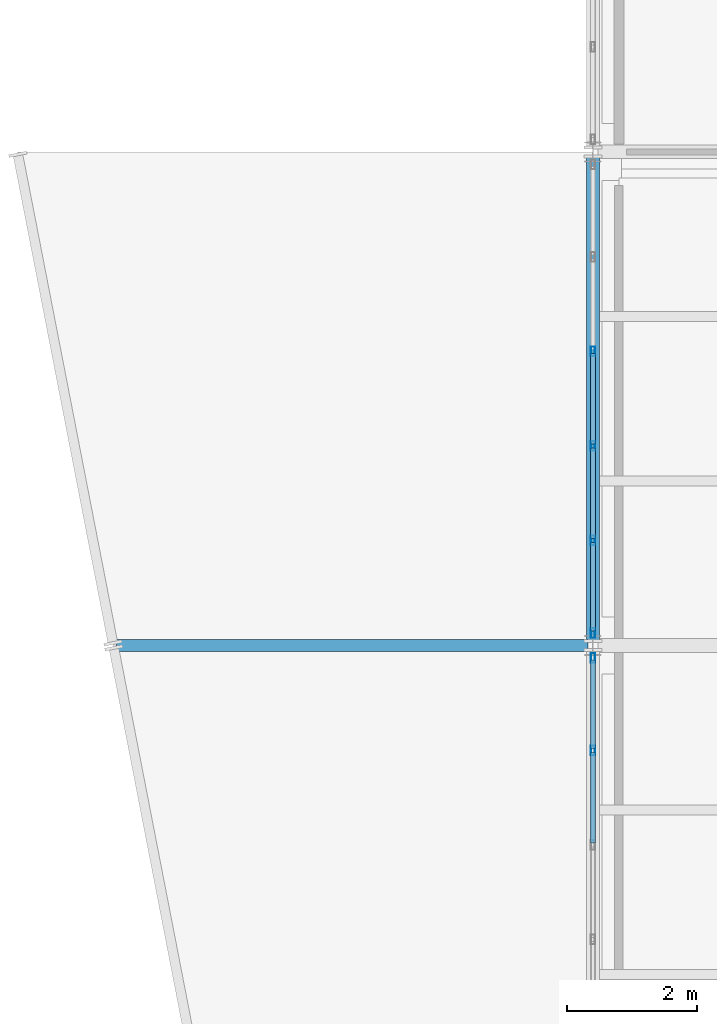
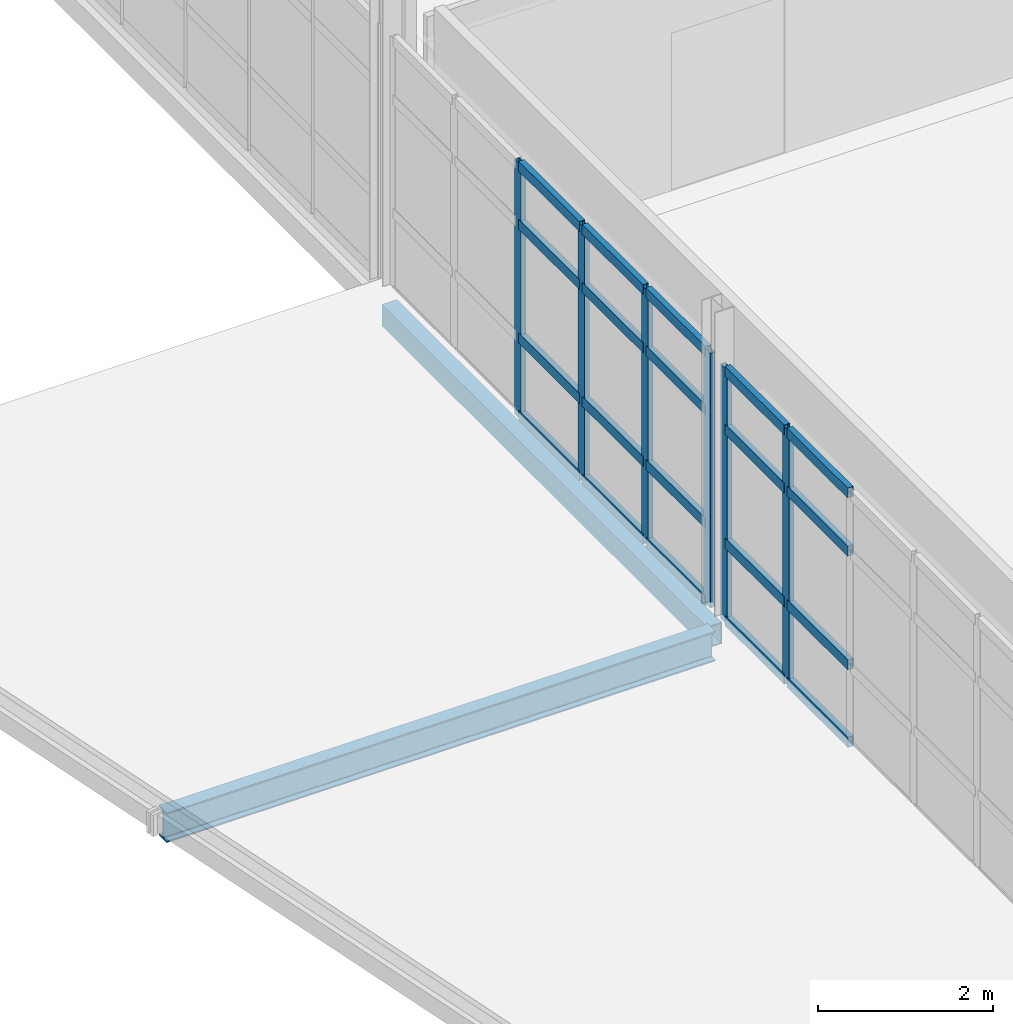
# One storey, part 52 of 96: 26 members, 2 beams, 2 elements without a shape of their own.
"""IFC4 building model written with IfcOpenShell, lengths in metres."""

import ifcopenshell
import ifcopenshell.guid

model = None  # the IFC model being written
_history = None  # IfcOwnerHistory: only IFC2X3 demands one
_inside = {}  # id of a spatial element -> (the spatial element, [elements in it])
_under = {}  # id of a project, library or spatial element -> (it, [spatial elements below it])
_declared = {}  # id of a project -> (the project, [libraries it declares])
_typed = {}  # id of a type object -> (the type object, [elements of that type])
_made_of = {}  # id of a material, layer set ... -> (it, [elements and type objects made of it])


def new_model(schema):
    """Start an empty IFC model of exactly this schema.

    Asked for "IFC4X3", IfcOpenShell would pick the latest addendum, in which some entities
    have other attributes; the version numbers below select the first issue.
    IFC2X3 requires an IfcOwnerHistory on every rooted entity: one is made here for all.
    """
    global model, _history
    if schema == "IFC4X3":
        model = ifcopenshell.file(schema_version=(4, 3, 0, 0))
    else:
        model = ifcopenshell.file(schema=schema)
    _inside.clear()
    _under.clear()
    _declared.clear()
    _typed.clear()
    _made_of.clear()
    _history = None
    if model.schema == "IFC2X3":
        org = make("IfcOrganization", Name="unknown")
        user = make(
            "IfcPersonAndOrganization",
            ThePerson=make("IfcPerson", FamilyName="unknown"),
            TheOrganization=org,
        )
        app = make(
            "IfcApplication",
            ApplicationDeveloper=org,
            Version="unknown",
            ApplicationFullName="unknown",
            ApplicationIdentifier="unknown",
        )
        _history = make(
            "IfcOwnerHistory",
            OwningUser=user,
            OwningApplication=app,
            ChangeAction="ADDED",
            CreationDate=0,
        )
    return model


def make(cls, **values):
    """One entity of the class cls with the attributes given. An attribute that is None is left unset."""
    return model.create_entity(
        cls, **{name: value for name, value in values.items() if value is not None}
    )


def rooted(cls, **values):
    """An entity with a GlobalId (a new one), such as an element, a storey or a relation."""
    return make(cls, GlobalId=ifcopenshell.guid.new(), OwnerHistory=_history, **values)


def si_unit(unit_type, name, prefix=None):
    """IfcSIUnit, for example si_unit("LENGTHUNIT", "METRE", prefix="MILLI")."""
    return make("IfcSIUnit", UnitType=unit_type, Prefix=prefix, Name=name)


def assignment(units):
    """IfcUnitAssignment: the units of a project."""
    return None if units is None else make("IfcUnitAssignment", Units=units)


def point(xyz):
    """IfcCartesianPoint."""
    return None if xyz is None else make("IfcCartesianPoint", Coordinates=xyz)


def direction(xyz):
    """IfcDirection."""
    return None if xyz is None else make("IfcDirection", DirectionRatios=xyz)


def frame(location, z_axis=None, x_axis=None):
    """IfcAxis2Placement3D, a coordinate frame: its origin and axes. An axis left out is left unset."""
    return make(
        "IfcAxis2Placement3D",
        Location=point(location),
        Axis=direction(z_axis),
        RefDirection=direction(x_axis),
    )


def frame_2d(location, x_axis=None):
    """IfcAxis2Placement2D, a coordinate frame in the plane: its origin and x axis."""
    return make(
        "IfcAxis2Placement2D", Location=point(location), RefDirection=direction(x_axis)
    )


def origin():
    """The frame at (0, 0, 0) with its axes left unset."""
    return frame((0.0, 0.0, 0.0))


def origin_2d():
    """The frame at (0, 0) in the plane with its x axis left unset."""
    return frame_2d((0.0, 0.0))


def place(relative_to, where):
    """IfcLocalPlacement: puts the frame where relative to a parent placement (None: the world)."""
    return make(
        "IfcLocalPlacement", PlacementRelTo=relative_to, RelativePlacement=where
    )


def context(
    kind, dimensions, precision=None, world=None, true_north=None, identifier=None
):
    """IfcGeometricRepresentationContext, for example the 3D "Model" context."""
    return make(
        "IfcGeometricRepresentationContext",
        ContextIdentifier=identifier,
        ContextType=kind,
        CoordinateSpaceDimension=dimensions,
        Precision=precision,
        WorldCoordinateSystem=world,
        TrueNorth=true_north,
    )


def subcontext(parent, identifier, kind, view, scale=None):
    """IfcGeometricRepresentationSubContext, for example "Body" below "Model"."""
    return make(
        "IfcGeometricRepresentationSubContext",
        ContextIdentifier=identifier,
        ContextType=kind,
        ParentContext=parent,
        TargetScale=scale,
        TargetView=view,
    )


def project(units=None, contexts=None):
    """IfcProject with its units and contexts."""
    return rooted(
        "IfcProject",
        Name="project",
        RepresentationContexts=contexts,
        UnitsInContext=assignment(units),
    )


def spatial(cls, under=None, at=None, **own):
    """A site, building, storey or space (cls), placed at a placement, below another one or the project."""
    s = rooted(cls, ObjectPlacement=at, **own)
    if under is not None:
        _under.setdefault(under.id(), (under, []))[1].append(s)
    return s


def profile(cls, at=None, kind="AREA", **sizes):
    """A parametric profile (cls). Its sizes go by their IFC names, for example OverallWidth=200.0."""
    return make(cls, ProfileType=kind, Position=at, **sizes)


def hollow_rectangle(**sizes):
    """IfcRectangleHollowProfileDef."""
    return profile("IfcRectangleHollowProfileDef", **sizes)


def i_section(**sizes):
    """IfcIShapeProfileDef."""
    return profile("IfcIShapeProfileDef", **sizes)


def extrude(swept, where, along, depth):
    """IfcExtrudedAreaSolid: the profile swept, set in the frame where, extruded along a direction by depth."""
    return make(
        "IfcExtrudedAreaSolid",
        SweptArea=swept,
        Position=where,
        ExtrudedDirection=direction(along),
        Depth=depth,
    )


def shape(context_of_items, identifier, shape_type, items):
    """IfcShapeRepresentation: the items that make up one representation, for example the "Body"."""
    return make(
        "IfcShapeRepresentation",
        ContextOfItems=context_of_items,
        RepresentationIdentifier=identifier,
        RepresentationType=shape_type,
        Items=items,
    )


def material(Name=None, Category=None):
    """IfcMaterial."""
    return make("IfcMaterial", Name=Name, Category=Category)


def material_profile(
    of_material, cross_section, Name=None, Category=None, Priority=None
):
    """IfcMaterialProfile: a cross section and its material."""
    return make(
        "IfcMaterialProfile",
        Name=Name,
        Material=of_material,
        Profile=cross_section,
        Priority=Priority,
        Category=Category,
    )


def profile_set(profiles, Name=None, composite=None):
    """IfcMaterialProfileSet."""
    return make(
        "IfcMaterialProfileSet",
        Name=Name,
        MaterialProfiles=profiles,
        CompositeProfile=composite,
    )


def made_of(thing, what):
    """Note that an element or type object is made of a material, layer set ...; save() writes the relation."""
    if what is not None:
        _made_of.setdefault(what.id(), (what, []))[1].append(thing)
    return thing


def type_object(cls, material=None, **own):
    """A type object (cls), such as IfcWallType, which elements share."""
    return made_of(rooted(cls, **own), material)


def element(
    cls,
    number,
    at=None,
    inside=None,
    cuts=None,
    type_object=None,
    material=None,
    context=None,
    identifier="Body",
    shape_type=None,
    held_by="IfcProductDefinitionShape",
    body=None,
    shapes=None,
    **own,
):
    """One element of the class cls, such as IfcWall. Its Tag is "e" and its number.

    at: its placement. inside: the storey or other place that contains it. cuts: it is an
    opening in that element (IfcRelVoidsElement). A single representation is given by context,
    identifier, shape_type and body (its items); several are given by shapes. held_by: the class
    of the entity that holds the representations. save() writes the other relations.
    """
    e = rooted(cls, Tag="e%d" % number, ObjectPlacement=at, **own)
    if body is not None:
        shapes = [shape(context, identifier, shape_type, body)]
    if shapes is not None:
        e.Representation = make(held_by, Representations=shapes)
    if inside is not None:
        _inside.setdefault(inside.id(), (inside, []))[1].append(e)
    if cuts is not None:
        rooted(
            "IfcRelVoidsElement", RelatingBuildingElement=cuts, RelatedOpeningElement=e
        )
    if type_object is not None:
        _typed.setdefault(type_object.id(), (type_object, []))[1].append(e)
    return made_of(e, material)


def aggregate(whole, parts):
    """IfcRelAggregates: a whole, such as a stair, and the parts it consists of."""
    return rooted("IfcRelAggregates", RelatingObject=whole, RelatedObjects=parts)


def save(model, path):
    """Write the relations noted so far, then the file.

    IfcRelAggregates (storeys below a building ...), IfcRelContainedInSpatialStructure (elements
    in a storey), IfcRelDefinesByType, IfcRelAssociatesMaterial and IfcRelDeclares: one each for
    every whole, place, type object, material and project.
    """
    for whole, parts in _under.values():
        aggregate(whole, parts)
    for where, things in _inside.values():
        rooted(
            "IfcRelContainedInSpatialStructure",
            RelatedElements=things,
            RelatingStructure=where,
        )
    for kind, things in _typed.values():
        rooted("IfcRelDefinesByType", RelatedObjects=things, RelatingType=kind)
    for what, things in _made_of.values():
        rooted("IfcRelAssociatesMaterial", RelatedObjects=things, RelatingMaterial=what)
    for by, libraries in _declared.values():
        rooted("IfcRelDeclares", RelatingContext=by, RelatedDefinitions=libraries)
    model.write(path)


model = new_model("IFC4")

# Units and contexts
model_context = context("Model", 3, precision=1e-05, world=origin(), true_north=direction((0.0, 1.0)))
body_context = subcontext(model_context, "Body", "Model", "MODEL_VIEW")
ifc_project = project(units=[si_unit("LENGTHUNIT", "METRE"), si_unit("AREAUNIT", "SQUARE_METRE"), si_unit("VOLUMEUNIT", "CUBIC_METRE"), si_unit("PLANEANGLEUNIT", "RADIAN"), si_unit("MASSUNIT", "GRAM", prefix="KILO")], contexts=[model_context])

# Site, building, storey
site_placement = place(None, origin())
site = spatial("IfcSite", under=ifc_project, at=site_placement, CompositionType="ELEMENT")
building_placement = place(site_placement, origin())
building = spatial("IfcBuilding", under=site, at=building_placement, Name="Caisbarro Railhouse Central Library", CompositionType="ELEMENT")
storey_placement = place(building_placement, frame((0.0, 0.0, 13.679931640625)))
storey = spatial("IfcBuildingStorey", under=building, at=storey_placement, Name="L03", CompositionType="ELEMENT", Elevation=13.679931640625)

# Beams
ifc_material_1 = material(Name="Steel ASTM A572 Grade 50", Category="steel")
ifc_material_profile_1 = material_profile(ifc_material_1, i_section(OverallWidth=0.180908203125, OverallDepth=0.4169921875, WebThickness=0.010986328125, FlangeThickness=0.018310546875, FilletRadius=0.01611328125, at=origin_2d()), Name="W410X85.0")
ifc_profile_set_1 = profile_set([ifc_material_profile_1], Name="Steel ASTM A572 Grade 50")
beam_type_1 = type_object("IfcBeamType", Name="BM-G09", PredefinedType="BEAM", material=ifc_profile_set_1)
beam_1_placement = place(storey_placement, frame((109.6640625, 98.800048828125, -0.388427734375), z_axis=(1.0, 0.0, 0.0), x_axis=(0.0, 1.0, 0.0)))
element("IfcBeam", 1, at=beam_1_placement, inside=storey, type_object=beam_type_1, Name="G09 beam L03 #2433", PredefinedType="BEAM", context=body_context, shape_type="SweptSolid", body=[
    extrude(i_section(OverallWidth=0.180908203125, OverallDepth=0.4169921875, WebThickness=0.010986328125, FlangeThickness=0.018310546875, FilletRadius=0.01611328125, at=origin_2d()), origin(), (0.0, 0.0, 1.0), 7.255859375),
])
ifc_material_profile_2 = material_profile(ifc_material_1, hollow_rectangle(XDim=0.199951171875, YDim=0.300048828125, WallThickness=0.012451171875, at=origin_2d()), Name="HSS300X200X12.5")
ifc_profile_set_2 = profile_set([ifc_material_profile_2], Name="Steel ASTM A572 Grade 50")
beam_type_2 = type_object("IfcBeamType", Name="BM-SP02", PredefinedType="SPANDREL", material=ifc_profile_set_2)
beam_2_placement = place(storey_placement, frame((117.0, 98.8798828125, -0.369873046875), z_axis=(0.0, 1.0, 0.0), x_axis=(-1.0, 0.0, 0.0)))
element("IfcBeam", 2, at=beam_2_placement, inside=storey, type_object=beam_type_2, Name="SP02 beam L03 #1885", PredefinedType="SPANDREL", context=body_context, shape_type="SweptSolid", body=[
    extrude(hollow_rectangle(XDim=0.199951171875, YDim=0.300048828125, WallThickness=0.012451171875, at=origin_2d()), origin(), (0.0, 0.0, 1.0), 7.440185546875),
])

# Curtain wall, members
ifc_material_2 = material(Name="Anodised architectural aluminium", Category="aluminium")
curtain_wall_type = type_object("IfcCurtainWallType", Name="CW-CW02", PredefinedType="NOTDEFINED", material=ifc_material_2)
curtain_wall_1_placement = place(storey_placement, origin())
curtain_wall_1 = element("IfcCurtainWall", 3, at=curtain_wall_1_placement, inside=storey, type_object=curtain_wall_type, Name="CW02 curtain wall L03 #145", PredefinedType="NOTDEFINED")
ifc_material_profile_3 = material_profile(ifc_material_2, hollow_rectangle(XDim=0.06494140625, YDim=0.14990234375, WallThickness=0.00390625, at=origin_2d()), Name="ALU-MUL-65X150")
ifc_profile_set_3 = profile_set([ifc_material_profile_3], Name="Anodised architectural aluminium")
member_type_1 = type_object("IfcMemberType", Name="CWM-M02", PredefinedType="MULLION", material=ifc_profile_set_3)
member_1_placement = place(storey_placement, frame((117.0, 97.18408203125, 0.0), z_axis=(0.0, 0.0, 1.0), x_axis=(-1.0, 0.0, 0.0)))
member_1 = element("IfcMember", 4, at=member_1_placement, type_object=member_type_1, Name="CW02 mullion 5", PredefinedType="MULLION", context=body_context, shape_type="SweptSolid", body=[
    extrude(hollow_rectangle(XDim=0.06494140625, YDim=0.14990234375, WallThickness=0.00390625, at=origin_2d()), origin(), (0.0, 0.0, 1.0), 3.56005859375),
])
member_2_placement = place(storey_placement, frame((117.0, 98.607421875, 0.0), z_axis=(0.0, 0.0, 1.0), x_axis=(-1.0, 0.0, 0.0)))
member_2 = element("IfcMember", 5, at=member_2_placement, type_object=member_type_1, Name="CW02 mullion 6", PredefinedType="MULLION", context=body_context, shape_type="SweptSolid", body=[
    extrude(hollow_rectangle(XDim=0.06494140625, YDim=0.14990234375, WallThickness=0.00390625, at=origin_2d()), origin(), (0.0, 0.0, 1.0), 3.56005859375),
])

curtain_wall_2_placement = place(storey_placement, origin())
curtain_wall_2 = element("IfcCurtainWall", 6, at=curtain_wall_2_placement, inside=storey, type_object=curtain_wall_type, Name="CW02 curtain wall L03 #146", PredefinedType="NOTDEFINED")
member_3_placement = place(storey_placement, frame((117.0, 98.992431640625, 0.0), z_axis=(0.0, 0.0, 1.0), x_axis=(-1.0, 0.0, 0.0)))
member_3 = element("IfcMember", 7, at=member_3_placement, type_object=member_type_1, Name="CW02 mullion 1", PredefinedType="MULLION", context=body_context, shape_type="SweptSolid", body=[
    extrude(hollow_rectangle(XDim=0.06494140625, YDim=0.14990234375, WallThickness=0.00390625, at=origin_2d()), origin(), (0.0, 0.0, 1.0), 3.56005859375),
])
member_4_placement = place(storey_placement, frame((117.0, 100.416015625, 0.0), z_axis=(0.0, 0.0, 1.0), x_axis=(-1.0, 0.0, 0.0)))
member_4 = element("IfcMember", 8, at=member_4_placement, type_object=member_type_1, Name="CW02 mullion 2", PredefinedType="MULLION", context=body_context, shape_type="SweptSolid", body=[
    extrude(hollow_rectangle(XDim=0.06494140625, YDim=0.14990234375, WallThickness=0.00390625, at=origin_2d()), origin(), (0.0, 0.0, 1.0), 3.56005859375),
])
member_5_placement = place(storey_placement, frame((117.0, 101.8720703125, 0.0), z_axis=(0.0, 0.0, 1.0), x_axis=(-1.0, 0.0, 0.0)))
member_5 = element("IfcMember", 9, at=member_5_placement, type_object=member_type_1, Name="CW02 mullion 3", PredefinedType="MULLION", context=body_context, shape_type="SweptSolid", body=[
    extrude(hollow_rectangle(XDim=0.06494140625, YDim=0.14990234375, WallThickness=0.00390625, at=origin_2d()), origin(), (0.0, 0.0, 1.0), 3.56005859375),
])
member_6_placement = place(storey_placement, frame((117.0, 103.327880859375, 0.0), z_axis=(0.0, 0.0, 1.0), x_axis=(-1.0, 0.0, 0.0)))
member_6 = element("IfcMember", 10, at=member_6_placement, type_object=member_type_1, Name="CW02 mullion 4", PredefinedType="MULLION", context=body_context, shape_type="SweptSolid", body=[
    extrude(hollow_rectangle(XDim=0.06494140625, YDim=0.14990234375, WallThickness=0.00390625, at=origin_2d()), origin(), (0.0, 0.0, 1.0), 3.56005859375),
])

# Member
ifc_material_profile_4 = material_profile(ifc_material_2, hollow_rectangle(XDim=0.074951171875, YDim=0.139892578125, WallThickness=0.00390625, at=origin_2d()), Name="ALU-TRN-75X140")
ifc_profile_set_4 = profile_set([ifc_material_profile_4], Name="Anodised architectural aluminium")
member_type_2 = type_object("IfcMemberType", Name="CWT-T01", PredefinedType="USERDEFINED", material=ifc_profile_set_4)
member_7_placement = place(storey_placement, frame((117.0, 95.760498046875, 0.03759765625), z_axis=(0.0, 1.0, 0.0), x_axis=(-1.0, 0.0, 0.0)))
member_7 = element("IfcMember", 11, at=member_7_placement, type_object=member_type_2, Name="CW02 transom 4.1", ObjectType="TRANSOM", PredefinedType="USERDEFINED", context=body_context, shape_type="SweptSolid", body=[
    extrude(hollow_rectangle(XDim=0.074951171875, YDim=0.139892578125, WallThickness=0.00390625, at=origin_2d()), origin(), (0.0, 0.0, 1.0), 1.39111328125),
])

member_8_placement = place(storey_placement, frame((117.0, 95.760498046875, 1.1201171875), z_axis=(0.0, 1.0, 0.0), x_axis=(-1.0, 0.0, 0.0)))
member_8 = element("IfcMember", 12, at=member_8_placement, type_object=member_type_2, Name="CW02 transom 4.2", ObjectType="TRANSOM", PredefinedType="USERDEFINED", context=body_context, shape_type="SweptSolid", body=[
    extrude(hollow_rectangle(XDim=0.074951171875, YDim=0.139892578125, WallThickness=0.00390625, at=origin_2d()), origin(), (0.0, 0.0, 1.0), 1.39111328125),
])

member_9_placement = place(storey_placement, frame((117.0, 95.760498046875, 2.7099609375), z_axis=(0.0, 1.0, 0.0), x_axis=(-1.0, 0.0, 0.0)))
member_9 = element("IfcMember", 13, at=member_9_placement, type_object=member_type_2, Name="CW02 transom 4.3", ObjectType="TRANSOM", PredefinedType="USERDEFINED", context=body_context, shape_type="SweptSolid", body=[
    extrude(hollow_rectangle(XDim=0.074951171875, YDim=0.139892578125, WallThickness=0.00390625, at=origin_2d()), origin(), (0.0, 0.0, 1.0), 1.39111328125),
])

member_10_placement = place(storey_placement, frame((117.0, 95.760498046875, 3.5224609375), z_axis=(0.0, 1.0, 0.0), x_axis=(-1.0, 0.0, 0.0)))
member_10 = element("IfcMember", 14, at=member_10_placement, type_object=member_type_2, Name="CW02 transom 4.4", ObjectType="TRANSOM", PredefinedType="USERDEFINED", context=body_context, shape_type="SweptSolid", body=[
    extrude(hollow_rectangle(XDim=0.074951171875, YDim=0.139892578125, WallThickness=0.00390625, at=origin_2d()), origin(), (0.0, 0.0, 1.0), 1.39111328125),
])

member_11_placement = place(storey_placement, frame((117.0, 97.216552734375, 0.03759765625), z_axis=(0.0, 1.0, 0.0), x_axis=(-1.0, 0.0, 0.0)))
member_11 = element("IfcMember", 15, at=member_11_placement, type_object=member_type_2, Name="CW02 transom 5.1", ObjectType="TRANSOM", PredefinedType="USERDEFINED", context=body_context, shape_type="SweptSolid", body=[
    extrude(hollow_rectangle(XDim=0.074951171875, YDim=0.139892578125, WallThickness=0.00390625, at=origin_2d()), origin(), (0.0, 0.0, 1.0), 1.3583984375),
])

member_12_placement = place(storey_placement, frame((117.0, 97.216552734375, 1.1201171875), z_axis=(0.0, 1.0, 0.0), x_axis=(-1.0, 0.0, 0.0)))
member_12 = element("IfcMember", 16, at=member_12_placement, type_object=member_type_2, Name="CW02 transom 5.2", ObjectType="TRANSOM", PredefinedType="USERDEFINED", context=body_context, shape_type="SweptSolid", body=[
    extrude(hollow_rectangle(XDim=0.074951171875, YDim=0.139892578125, WallThickness=0.00390625, at=origin_2d()), origin(), (0.0, 0.0, 1.0), 1.3583984375),
])

member_13_placement = place(storey_placement, frame((117.0, 97.216552734375, 2.7099609375), z_axis=(0.0, 1.0, 0.0), x_axis=(-1.0, 0.0, 0.0)))
member_13 = element("IfcMember", 17, at=member_13_placement, type_object=member_type_2, Name="CW02 transom 5.3", ObjectType="TRANSOM", PredefinedType="USERDEFINED", context=body_context, shape_type="SweptSolid", body=[
    extrude(hollow_rectangle(XDim=0.074951171875, YDim=0.139892578125, WallThickness=0.00390625, at=origin_2d()), origin(), (0.0, 0.0, 1.0), 1.3583984375),
])

member_14_placement = place(storey_placement, frame((117.0, 97.216552734375, 3.5224609375), z_axis=(0.0, 1.0, 0.0), x_axis=(-1.0, 0.0, 0.0)))
member_14 = element("IfcMember", 18, at=member_14_placement, type_object=member_type_2, Name="CW02 transom 5.4", ObjectType="TRANSOM", PredefinedType="USERDEFINED", context=body_context, shape_type="SweptSolid", body=[
    extrude(hollow_rectangle(XDim=0.074951171875, YDim=0.139892578125, WallThickness=0.00390625, at=origin_2d()), origin(), (0.0, 0.0, 1.0), 1.3583984375),
])

aggregate(curtain_wall_1, [member_1, member_2, member_7, member_8, member_9, member_10, member_11, member_12, member_13, member_14])

member_15_placement = place(storey_placement, frame((117.0, 99.02490234375, 0.03759765625), z_axis=(0.0, 1.0, 0.0), x_axis=(-1.0, 0.0, 0.0)))
member_15 = element("IfcMember", 19, at=member_15_placement, type_object=member_type_2, Name="CW02 transom 1.1", ObjectType="TRANSOM", PredefinedType="USERDEFINED", context=body_context, shape_type="SweptSolid", body=[
    extrude(hollow_rectangle(XDim=0.074951171875, YDim=0.139892578125, WallThickness=0.00390625, at=origin_2d()), origin(), (0.0, 0.0, 1.0), 1.358642578125),
])

member_16_placement = place(storey_placement, frame((117.0, 99.02490234375, 1.1201171875), z_axis=(0.0, 1.0, 0.0), x_axis=(-1.0, 0.0, 0.0)))
member_16 = element("IfcMember", 20, at=member_16_placement, type_object=member_type_2, Name="CW02 transom 1.2", ObjectType="TRANSOM", PredefinedType="USERDEFINED", context=body_context, shape_type="SweptSolid", body=[
    extrude(hollow_rectangle(XDim=0.074951171875, YDim=0.139892578125, WallThickness=0.00390625, at=origin_2d()), origin(), (0.0, 0.0, 1.0), 1.358642578125),
])

member_17_placement = place(storey_placement, frame((117.0, 99.02490234375, 2.7099609375), z_axis=(0.0, 1.0, 0.0), x_axis=(-1.0, 0.0, 0.0)))
member_17 = element("IfcMember", 21, at=member_17_placement, type_object=member_type_2, Name="CW02 transom 1.3", ObjectType="TRANSOM", PredefinedType="USERDEFINED", context=body_context, shape_type="SweptSolid", body=[
    extrude(hollow_rectangle(XDim=0.074951171875, YDim=0.139892578125, WallThickness=0.00390625, at=origin_2d()), origin(), (0.0, 0.0, 1.0), 1.358642578125),
])

member_18_placement = place(storey_placement, frame((117.0, 99.02490234375, 3.5224609375), z_axis=(0.0, 1.0, 0.0), x_axis=(-1.0, 0.0, 0.0)))
member_18 = element("IfcMember", 22, at=member_18_placement, type_object=member_type_2, Name="CW02 transom 1.4", ObjectType="TRANSOM", PredefinedType="USERDEFINED", context=body_context, shape_type="SweptSolid", body=[
    extrude(hollow_rectangle(XDim=0.074951171875, YDim=0.139892578125, WallThickness=0.00390625, at=origin_2d()), origin(), (0.0, 0.0, 1.0), 1.358642578125),
])

member_19_placement = place(storey_placement, frame((117.0, 100.448486328125, 0.03759765625), z_axis=(0.0, 1.0, 0.0), x_axis=(-1.0, 0.0, 0.0)))
member_19 = element("IfcMember", 23, at=member_19_placement, type_object=member_type_2, Name="CW02 transom 2.1", ObjectType="TRANSOM", PredefinedType="USERDEFINED", context=body_context, shape_type="SweptSolid", body=[
    extrude(hollow_rectangle(XDim=0.074951171875, YDim=0.139892578125, WallThickness=0.00390625, at=origin_2d()), origin(), (0.0, 0.0, 1.0), 1.39111328125),
])

member_20_placement = place(storey_placement, frame((117.0, 100.448486328125, 1.1201171875), z_axis=(0.0, 1.0, 0.0), x_axis=(-1.0, 0.0, 0.0)))
member_20 = element("IfcMember", 24, at=member_20_placement, type_object=member_type_2, Name="CW02 transom 2.2", ObjectType="TRANSOM", PredefinedType="USERDEFINED", context=body_context, shape_type="SweptSolid", body=[
    extrude(hollow_rectangle(XDim=0.074951171875, YDim=0.139892578125, WallThickness=0.00390625, at=origin_2d()), origin(), (0.0, 0.0, 1.0), 1.39111328125),
])

member_21_placement = place(storey_placement, frame((117.0, 100.448486328125, 2.7099609375), z_axis=(0.0, 1.0, 0.0), x_axis=(-1.0, 0.0, 0.0)))
member_21 = element("IfcMember", 25, at=member_21_placement, type_object=member_type_2, Name="CW02 transom 2.3", ObjectType="TRANSOM", PredefinedType="USERDEFINED", context=body_context, shape_type="SweptSolid", body=[
    extrude(hollow_rectangle(XDim=0.074951171875, YDim=0.139892578125, WallThickness=0.00390625, at=origin_2d()), origin(), (0.0, 0.0, 1.0), 1.39111328125),
])

member_22_placement = place(storey_placement, frame((117.0, 100.448486328125, 3.5224609375), z_axis=(0.0, 1.0, 0.0), x_axis=(-1.0, 0.0, 0.0)))
member_22 = element("IfcMember", 26, at=member_22_placement, type_object=member_type_2, Name="CW02 transom 2.4", ObjectType="TRANSOM", PredefinedType="USERDEFINED", context=body_context, shape_type="SweptSolid", body=[
    extrude(hollow_rectangle(XDim=0.074951171875, YDim=0.139892578125, WallThickness=0.00390625, at=origin_2d()), origin(), (0.0, 0.0, 1.0), 1.39111328125),
])

member_23_placement = place(storey_placement, frame((117.0, 101.904541015625, 0.03759765625), z_axis=(0.0, 1.0, 0.0), x_axis=(-1.0, 0.0, 0.0)))
member_23 = element("IfcMember", 27, at=member_23_placement, type_object=member_type_2, Name="CW02 transom 3.1", ObjectType="TRANSOM", PredefinedType="USERDEFINED", context=body_context, shape_type="SweptSolid", body=[
    extrude(hollow_rectangle(XDim=0.074951171875, YDim=0.139892578125, WallThickness=0.00390625, at=origin_2d()), origin(), (0.0, 0.0, 1.0), 1.390869140625),
])

member_24_placement = place(storey_placement, frame((117.0, 101.904541015625, 1.1201171875), z_axis=(0.0, 1.0, 0.0), x_axis=(-1.0, 0.0, 0.0)))
member_24 = element("IfcMember", 28, at=member_24_placement, type_object=member_type_2, Name="CW02 transom 3.2", ObjectType="TRANSOM", PredefinedType="USERDEFINED", context=body_context, shape_type="SweptSolid", body=[
    extrude(hollow_rectangle(XDim=0.074951171875, YDim=0.139892578125, WallThickness=0.00390625, at=origin_2d()), origin(), (0.0, 0.0, 1.0), 1.390869140625),
])

member_25_placement = place(storey_placement, frame((117.0, 101.904541015625, 2.7099609375), z_axis=(0.0, 1.0, 0.0), x_axis=(-1.0, 0.0, 0.0)))
member_25 = element("IfcMember", 29, at=member_25_placement, type_object=member_type_2, Name="CW02 transom 3.3", ObjectType="TRANSOM", PredefinedType="USERDEFINED", context=body_context, shape_type="SweptSolid", body=[
    extrude(hollow_rectangle(XDim=0.074951171875, YDim=0.139892578125, WallThickness=0.00390625, at=origin_2d()), origin(), (0.0, 0.0, 1.0), 1.390869140625),
])

member_26_placement = place(storey_placement, frame((117.0, 101.904541015625, 3.5224609375), z_axis=(0.0, 1.0, 0.0), x_axis=(-1.0, 0.0, 0.0)))
member_26 = element("IfcMember", 30, at=member_26_placement, type_object=member_type_2, Name="CW02 transom 3.4", ObjectType="TRANSOM", PredefinedType="USERDEFINED", context=body_context, shape_type="SweptSolid", body=[
    extrude(hollow_rectangle(XDim=0.074951171875, YDim=0.139892578125, WallThickness=0.00390625, at=origin_2d()), origin(), (0.0, 0.0, 1.0), 1.390869140625),
])

aggregate(curtain_wall_2, [member_3, member_4, member_5, member_6, member_15, member_16, member_17, member_18, member_19, member_20, member_21, member_22, member_23, member_24, member_25, member_26])

save(model, "model.ifc")
